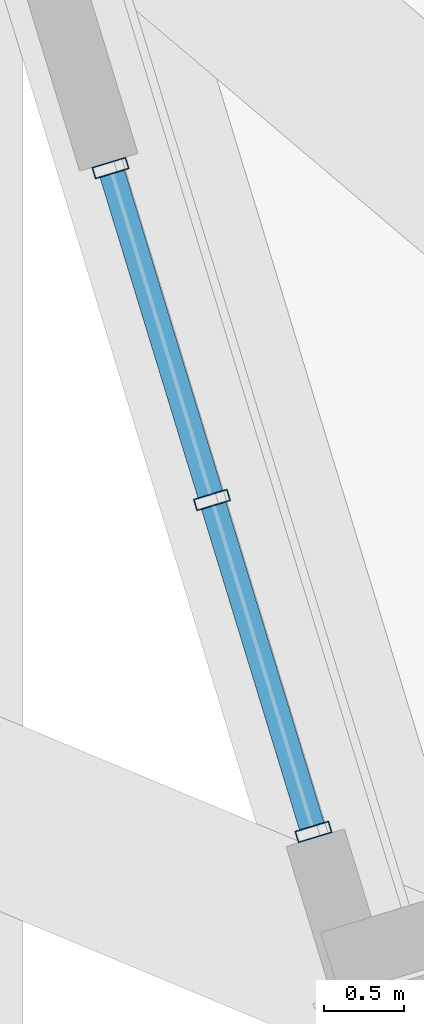
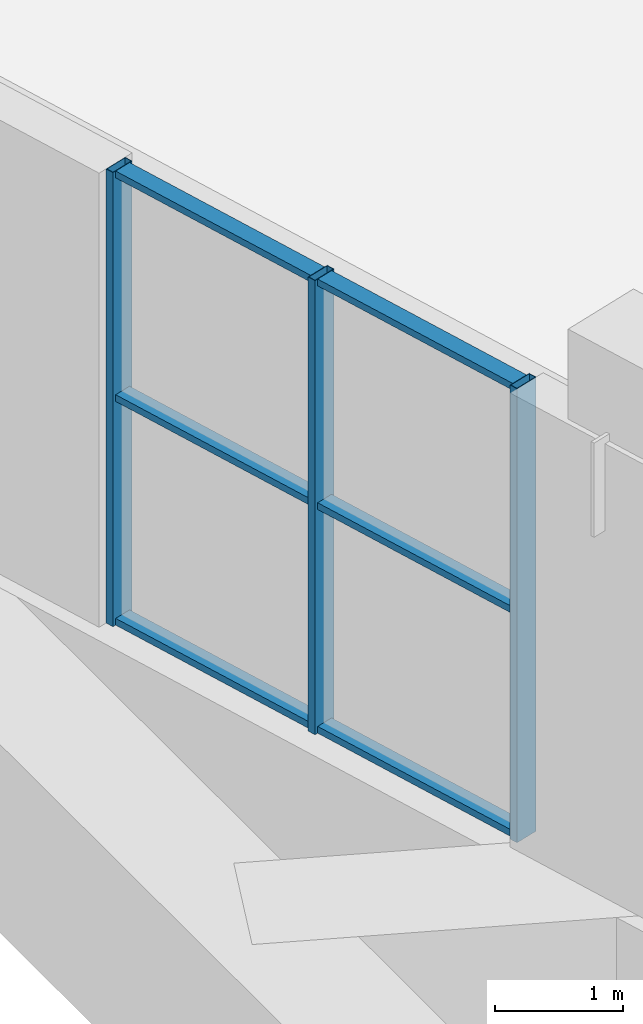
# One storey, part 3 of 22: 9 members, 1 element without a shape of its own.
"""IFC4 building model written with IfcOpenShell, lengths in metres."""

from ifc_helpers import new_model, si_unit, direction, frame, origin, origin_2d, place, context, subcontext, project, spatial, hollow_rectangle, extrude, source, transform, mapped, material, layer, layer_set, material_profile, profile_set, type_object, element, aggregate, save


model = new_model("IFC4")

# Units and contexts
model_context = context("Model", 3, precision=1e-05, world=origin(), true_north=direction((0.0, 1.0)))
body_context = subcontext(model_context, "Body", "Model", "MODEL_VIEW")
ifc_project = project(units=[si_unit("LENGTHUNIT", "METRE"), si_unit("AREAUNIT", "SQUARE_METRE"), si_unit("VOLUMEUNIT", "CUBIC_METRE"), si_unit("PLANEANGLEUNIT", "RADIAN"), si_unit("MASSUNIT", "GRAM", prefix="KILO"), si_unit("THERMODYNAMICTEMPERATUREUNIT", "KELVIN")], contexts=[model_context])

# Site, building, storey
site_placement = place(None, origin())
site = spatial("IfcSite", under=ifc_project, at=site_placement, CompositionType="ELEMENT")
building_placement = place(site_placement, origin())
building = spatial("IfcBuilding", under=site, at=building_placement, Name="Kosmvard Interchange Tower", CompositionType="ELEMENT")
storey_placement = place(building_placement, frame((0.0, 0.0, 78.0)))
storey = spatial("IfcBuildingStorey", under=building, at=storey_placement, Name="L18", CompositionType="ELEMENT", Elevation=78.0)

# Curtain wall, members
ifc_material = material(Name="Architectural anodised aluminium", Category="aluminium")
ifc_layer = layer(ifc_material, 0.2099609375, Name="Architectural anodised aluminium")
ifc_layer_set = layer_set([ifc_layer], Name="Architectural anodised aluminium")
curtain_wall_type = type_object("IfcCurtainWallType", Name="CW-4 Refuge Transfer Glazed Louvre Wall", PredefinedType="NOTDEFINED", material=ifc_layer_set)
curtain_wall_placement = place(storey_placement, origin())
curtain_wall = element("IfcCurtainWall", 1, at=curtain_wall_placement, inside=storey, type_object=curtain_wall_type, Name="L18 Transfer Louvre Curtain Wall W", PredefinedType="NOTDEFINED")
ifc_material_profile_1 = material_profile(ifc_material, hollow_rectangle(XDim=0.219970703125, YDim=0.074951171875, WallThickness=0.0048828125, at=origin_2d()), Name="CWM 220x75x5")
ifc_profile_set_1 = profile_set([ifc_material_profile_1], Name="Architectural anodised aluminium")
member_type_1 = type_object("IfcMemberType", Name="Concourse CW Mullion 220x75 Aluminium", PredefinedType="MULLION", material=ifc_profile_set_1)
shared_shape_1 = source(origin(), body_context, "Body", "SweptSolid", [
    extrude(hollow_rectangle(XDim=0.219970703125, YDim=0.074951171875, WallThickness=0.0048828125, at=origin_2d()), origin(), (0.0, 0.0, 1.0), 4.340087890625),
])
member_1_placement = place(storey_placement, frame((-27.445556640625, -2.783447265625, 0.0), z_axis=(0.0, 0.0, 1.0), x_axis=(0.956304725673, 0.292371803799, 0.0)))
member_1 = element("IfcMember", 2, at=member_1_placement, type_object=member_type_1, Name="CW-4 mullion 1", PredefinedType="MULLION", context=body_context, shape_type="MappedRepresentation", body=[
    mapped(shared_shape_1, transform((0.0, 0.0, 0.0), scale=1.0)),
])
member_2_placement = place(storey_placement, frame((-26.813232421875, -4.851318359375, 0.0), z_axis=(0.0, 0.0, 1.0), x_axis=(0.956304725673, 0.292371803799, 0.0)))
member_2 = element("IfcMember", 3, at=member_2_placement, type_object=member_type_1, Name="CW-4 mullion 2", PredefinedType="MULLION", context=body_context, shape_type="MappedRepresentation", body=[
    mapped(shared_shape_1, transform((0.0, 0.0, 0.0), scale=1.0)),
])
member_3_placement = place(storey_placement, frame((-26.180908203125, -6.91943359375, 0.0), z_axis=(0.0, 0.0, 1.0), x_axis=(0.956304725673, 0.292371803799, 0.0)))
member_3 = element("IfcMember", 4, at=member_3_placement, type_object=member_type_1, Name="CW-4 mullion 3", PredefinedType="MULLION", context=body_context, shape_type="MappedRepresentation", body=[
    mapped(shared_shape_1, transform((0.0, 0.0, 0.0), scale=1.0)),
])
ifc_material_profile_2 = material_profile(ifc_material, hollow_rectangle(XDim=0.159912109375, YDim=0.06494140625, WallThickness=0.00390625, at=origin_2d()), Name="CWT 160x65x4")
ifc_profile_set_2 = profile_set([ifc_material_profile_2], Name="Architectural anodised aluminium")
member_type_2 = type_object("IfcMemberType", Name="Standard CW Transom 160x65 Aluminium", PredefinedType="USERDEFINED", material=ifc_profile_set_2)
shared_shape_2 = source(origin(), body_context, "Body", "SweptSolid", [
    extrude(hollow_rectangle(XDim=0.159912109375, YDim=0.06494140625, WallThickness=0.00390625, at=origin_2d()), origin(), (0.0, 0.0, 1.0), 2.08740234375),
])
member_4_placement = place(storey_placement, frame((-27.4345703125, -2.8193359375, 0.032470703125), z_axis=(0.292408708979, -0.956293441844, 0.0), x_axis=(0.956293441844, 0.292408708979, 0.0)))
member_4 = element("IfcMember", 5, at=member_4_placement, type_object=member_type_2, Name="CW-4 transom 1.1", ObjectType="TRANSOM", PredefinedType="USERDEFINED", context=body_context, shape_type="MappedRepresentation", body=[
    mapped(shared_shape_2, transform((0.0, 0.0, 0.0), scale=1.0)),
])
member_5_placement = place(storey_placement, frame((-27.4345703125, -2.8193359375, 2.169921875), z_axis=(0.292408708979, -0.956293441844, 0.0), x_axis=(0.956293441844, 0.292408708979, 0.0)))
member_5 = element("IfcMember", 6, at=member_5_placement, type_object=member_type_2, Name="CW-4 transom 1.2", ObjectType="TRANSOM", PredefinedType="USERDEFINED", context=body_context, shape_type="MappedRepresentation", body=[
    mapped(shared_shape_2, transform((0.0, 0.0, 0.0), scale=1.0)),
])
member_6_placement = place(storey_placement, frame((-27.4345703125, -2.8193359375, 4.3076171875), z_axis=(0.292408708979, -0.956293441844, 0.0), x_axis=(0.956293441844, 0.292408708979, 0.0)))
member_6 = element("IfcMember", 7, at=member_6_placement, type_object=member_type_2, Name="CW-4 transom 1.3", ObjectType="TRANSOM", PredefinedType="USERDEFINED", context=body_context, shape_type="MappedRepresentation", body=[
    mapped(shared_shape_2, transform((0.0, 0.0, 0.0), scale=1.0)),
])
shared_shape_3 = source(origin(), body_context, "Body", "SweptSolid", [
    extrude(hollow_rectangle(XDim=0.159912109375, YDim=0.06494140625, WallThickness=0.00390625, at=origin_2d()), origin(), (0.0, 0.0, 1.0), 2.087646484375),
])
member_7_placement = place(storey_placement, frame((-26.80224609375, -4.88720703125, 0.032470703125), z_axis=(0.292376006138, -0.956303440878, 0.0), x_axis=(0.956303440878, 0.292376006138, 0.0)))
member_7 = element("IfcMember", 8, at=member_7_placement, type_object=member_type_2, Name="CW-4 transom 2.1", ObjectType="TRANSOM", PredefinedType="USERDEFINED", context=body_context, shape_type="MappedRepresentation", body=[
    mapped(shared_shape_3, transform((0.0, 0.0, 0.0), scale=1.0)),
])
member_8_placement = place(storey_placement, frame((-26.80224609375, -4.88720703125, 2.169921875), z_axis=(0.292376006138, -0.956303440878, 0.0), x_axis=(0.956303440878, 0.292376006138, 0.0)))
member_8 = element("IfcMember", 9, at=member_8_placement, type_object=member_type_2, Name="CW-4 transom 2.2", ObjectType="TRANSOM", PredefinedType="USERDEFINED", context=body_context, shape_type="MappedRepresentation", body=[
    mapped(shared_shape_3, transform((0.0, 0.0, 0.0), scale=1.0)),
])
member_9_placement = place(storey_placement, frame((-26.80224609375, -4.88720703125, 4.3076171875), z_axis=(0.292376006138, -0.956303440878, 0.0), x_axis=(0.956303440878, 0.292376006138, 0.0)))
member_9 = element("IfcMember", 10, at=member_9_placement, type_object=member_type_2, Name="CW-4 transom 2.3", ObjectType="TRANSOM", PredefinedType="USERDEFINED", context=body_context, shape_type="MappedRepresentation", body=[
    mapped(shared_shape_3, transform((0.0, 0.0, 0.0), scale=1.0)),
])
aggregate(curtain_wall, [member_1, member_2, member_3, member_4, member_5, member_6, member_7, member_8, member_9])

save(model, "model.ifc")
